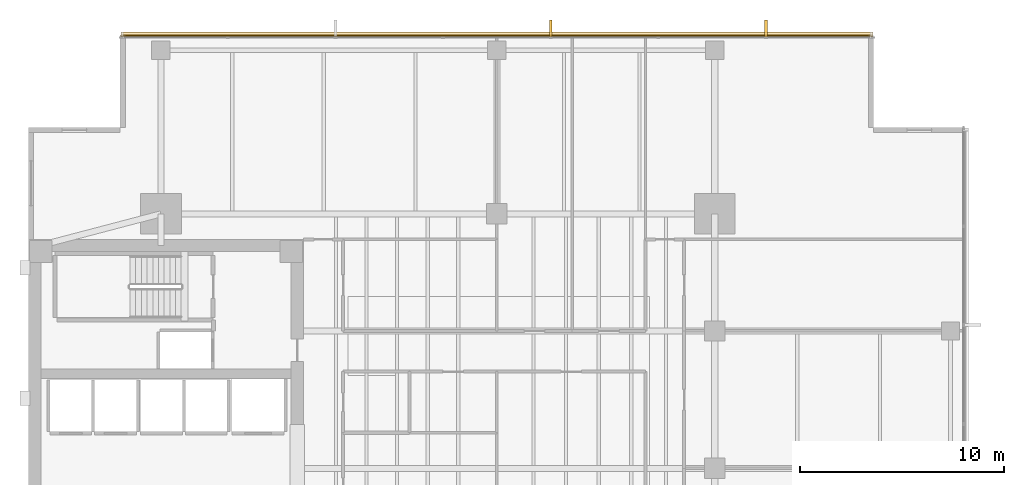
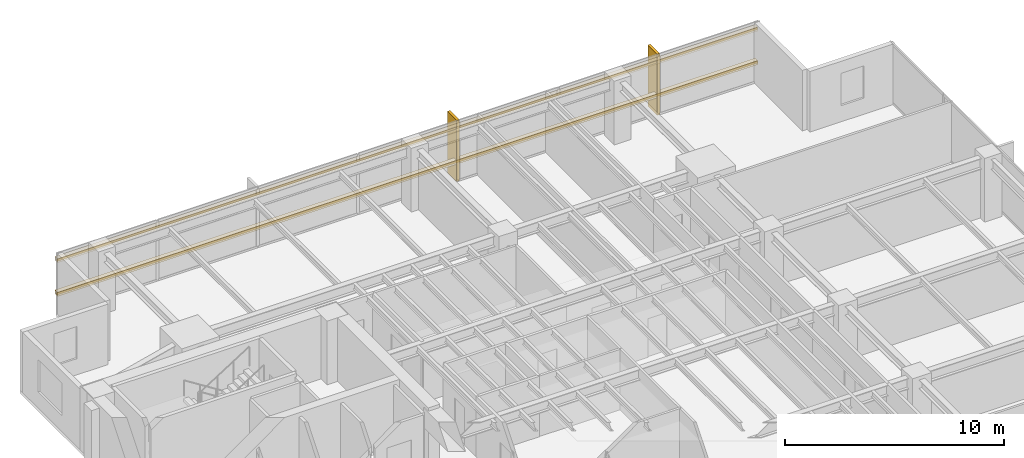
# One storey, part 14 of 14: 4 coverings, 2 shading devices.
"""IFC4 building model written with IfcOpenShell, lengths in metres."""

import ifcopenshell
import ifcopenshell.guid

model = None  # the IFC model being written
_history = None  # IfcOwnerHistory: only IFC2X3 demands one
_inside = {}  # id of a spatial element -> (the spatial element, [elements in it])
_under = {}  # id of a project, library or spatial element -> (it, [spatial elements below it])
_declared = {}  # id of a project -> (the project, [libraries it declares])
_typed = {}  # id of a type object -> (the type object, [elements of that type])
_made_of = {}  # id of a material, layer set ... -> (it, [elements and type objects made of it])


def new_model(schema):
    """Start an empty IFC model of exactly this schema.

    Asked for "IFC4X3", IfcOpenShell would pick the latest addendum, in which some entities
    have other attributes; the version numbers below select the first issue.
    IFC2X3 requires an IfcOwnerHistory on every rooted entity: one is made here for all.
    """
    global model, _history
    if schema == "IFC4X3":
        model = ifcopenshell.file(schema_version=(4, 3, 0, 0))
    else:
        model = ifcopenshell.file(schema=schema)
    _inside.clear()
    _under.clear()
    _declared.clear()
    _typed.clear()
    _made_of.clear()
    _history = None
    if model.schema == "IFC2X3":
        org = make("IfcOrganization", Name="unknown")
        user = make(
            "IfcPersonAndOrganization",
            ThePerson=make("IfcPerson", FamilyName="unknown"),
            TheOrganization=org,
        )
        app = make(
            "IfcApplication",
            ApplicationDeveloper=org,
            Version="unknown",
            ApplicationFullName="unknown",
            ApplicationIdentifier="unknown",
        )
        _history = make(
            "IfcOwnerHistory",
            OwningUser=user,
            OwningApplication=app,
            ChangeAction="ADDED",
            CreationDate=0,
        )
    return model


def make(cls, **values):
    """One entity of the class cls with the attributes given. An attribute that is None is left unset."""
    return model.create_entity(
        cls, **{name: value for name, value in values.items() if value is not None}
    )


def rooted(cls, **values):
    """An entity with a GlobalId (a new one), such as an element, a storey or a relation."""
    return make(cls, GlobalId=ifcopenshell.guid.new(), OwnerHistory=_history, **values)


def si_unit(unit_type, name, prefix=None):
    """IfcSIUnit, for example si_unit("LENGTHUNIT", "METRE", prefix="MILLI")."""
    return make("IfcSIUnit", UnitType=unit_type, Prefix=prefix, Name=name)


def assignment(units):
    """IfcUnitAssignment: the units of a project."""
    return None if units is None else make("IfcUnitAssignment", Units=units)


def point(xyz):
    """IfcCartesianPoint."""
    return None if xyz is None else make("IfcCartesianPoint", Coordinates=xyz)


def direction(xyz):
    """IfcDirection."""
    return None if xyz is None else make("IfcDirection", DirectionRatios=xyz)


def frame(location, z_axis=None, x_axis=None):
    """IfcAxis2Placement3D, a coordinate frame: its origin and axes. An axis left out is left unset."""
    return make(
        "IfcAxis2Placement3D",
        Location=point(location),
        Axis=direction(z_axis),
        RefDirection=direction(x_axis),
    )


def frame_2d(location, x_axis=None):
    """IfcAxis2Placement2D, a coordinate frame in the plane: its origin and x axis."""
    return make(
        "IfcAxis2Placement2D", Location=point(location), RefDirection=direction(x_axis)
    )


def origin():
    """The frame at (0, 0, 0) with its axes left unset."""
    return frame((0.0, 0.0, 0.0))


def origin_2d():
    """The frame at (0, 0) in the plane with its x axis left unset."""
    return frame_2d((0.0, 0.0))


def place(relative_to, where):
    """IfcLocalPlacement: puts the frame where relative to a parent placement (None: the world)."""
    return make(
        "IfcLocalPlacement", PlacementRelTo=relative_to, RelativePlacement=where
    )


def context(
    kind, dimensions, precision=None, world=None, true_north=None, identifier=None
):
    """IfcGeometricRepresentationContext, for example the 3D "Model" context."""
    return make(
        "IfcGeometricRepresentationContext",
        ContextIdentifier=identifier,
        ContextType=kind,
        CoordinateSpaceDimension=dimensions,
        Precision=precision,
        WorldCoordinateSystem=world,
        TrueNorth=true_north,
    )


def subcontext(parent, identifier, kind, view, scale=None):
    """IfcGeometricRepresentationSubContext, for example "Body" below "Model"."""
    return make(
        "IfcGeometricRepresentationSubContext",
        ContextIdentifier=identifier,
        ContextType=kind,
        ParentContext=parent,
        TargetScale=scale,
        TargetView=view,
    )


def project(units=None, contexts=None):
    """IfcProject with its units and contexts."""
    return rooted(
        "IfcProject",
        Name="project",
        RepresentationContexts=contexts,
        UnitsInContext=assignment(units),
    )


def spatial(cls, under=None, at=None, **own):
    """A site, building, storey or space (cls), placed at a placement, below another one or the project."""
    s = rooted(cls, ObjectPlacement=at, **own)
    if under is not None:
        _under.setdefault(under.id(), (under, []))[1].append(s)
    return s


def polyline(points):
    """IfcPolyline through the points."""
    return make("IfcPolyline", Points=[point(p) for p in points])


def profile(cls, at=None, kind="AREA", **sizes):
    """A parametric profile (cls). Its sizes go by their IFC names, for example OverallWidth=200.0."""
    return make(cls, ProfileType=kind, Position=at, **sizes)


def rectangle(**sizes):
    """IfcRectangleProfileDef."""
    return profile("IfcRectangleProfileDef", **sizes)


def outline(outer, holes=None, kind="AREA"):
    """IfcArbitraryClosedProfileDef: a profile drawn as a closed curve; with holes, ...WithVoids."""
    if holes is None:
        return make("IfcArbitraryClosedProfileDef", ProfileType=kind, OuterCurve=outer)
    return make(
        "IfcArbitraryProfileDefWithVoids",
        ProfileType=kind,
        OuterCurve=outer,
        InnerCurves=holes,
    )


def extrude(swept, where, along, depth):
    """IfcExtrudedAreaSolid: the profile swept, set in the frame where, extruded along a direction by depth."""
    return make(
        "IfcExtrudedAreaSolid",
        SweptArea=swept,
        Position=where,
        ExtrudedDirection=direction(along),
        Depth=depth,
    )


def shape(context_of_items, identifier, shape_type, items):
    """IfcShapeRepresentation: the items that make up one representation, for example the "Body"."""
    return make(
        "IfcShapeRepresentation",
        ContextOfItems=context_of_items,
        RepresentationIdentifier=identifier,
        RepresentationType=shape_type,
        Items=items,
    )


def material(Name=None, Category=None):
    """IfcMaterial."""
    return make("IfcMaterial", Name=Name, Category=Category)


def layer(
    of_material, thickness, ventilated=None, Name=None, Category=None, Priority=None
):
    """IfcMaterialLayer: one layer of a wall or slab, of a material (None: an air gap)."""
    return make(
        "IfcMaterialLayer",
        Material=of_material,
        LayerThickness=thickness,
        IsVentilated=ventilated,
        Name=Name,
        Category=Category,
        Priority=Priority,
    )


def layer_set(layers, Name=None):
    """IfcMaterialLayerSet."""
    return make("IfcMaterialLayerSet", MaterialLayers=layers, LayerSetName=Name)


def material_profile(
    of_material, cross_section, Name=None, Category=None, Priority=None
):
    """IfcMaterialProfile: a cross section and its material."""
    return make(
        "IfcMaterialProfile",
        Name=Name,
        Material=of_material,
        Profile=cross_section,
        Priority=Priority,
        Category=Category,
    )


def profile_set(profiles, Name=None, composite=None):
    """IfcMaterialProfileSet."""
    return make(
        "IfcMaterialProfileSet",
        Name=Name,
        MaterialProfiles=profiles,
        CompositeProfile=composite,
    )


def made_of(thing, what):
    """Note that an element or type object is made of a material, layer set ...; save() writes the relation."""
    if what is not None:
        _made_of.setdefault(what.id(), (what, []))[1].append(thing)
    return thing


def type_object(cls, material=None, **own):
    """A type object (cls), such as IfcWallType, which elements share."""
    return made_of(rooted(cls, **own), material)


def element(
    cls,
    number,
    at=None,
    inside=None,
    cuts=None,
    type_object=None,
    material=None,
    context=None,
    identifier="Body",
    shape_type=None,
    held_by="IfcProductDefinitionShape",
    body=None,
    shapes=None,
    **own,
):
    """One element of the class cls, such as IfcWall. Its Tag is "e" and its number.

    at: its placement. inside: the storey or other place that contains it. cuts: it is an
    opening in that element (IfcRelVoidsElement). A single representation is given by context,
    identifier, shape_type and body (its items); several are given by shapes. held_by: the class
    of the entity that holds the representations. save() writes the other relations.
    """
    e = rooted(cls, Tag="e%d" % number, ObjectPlacement=at, **own)
    if body is not None:
        shapes = [shape(context, identifier, shape_type, body)]
    if shapes is not None:
        e.Representation = make(held_by, Representations=shapes)
    if inside is not None:
        _inside.setdefault(inside.id(), (inside, []))[1].append(e)
    if cuts is not None:
        rooted(
            "IfcRelVoidsElement", RelatingBuildingElement=cuts, RelatedOpeningElement=e
        )
    if type_object is not None:
        _typed.setdefault(type_object.id(), (type_object, []))[1].append(e)
    return made_of(e, material)


def aggregate(whole, parts):
    """IfcRelAggregates: a whole, such as a stair, and the parts it consists of."""
    return rooted("IfcRelAggregates", RelatingObject=whole, RelatedObjects=parts)


def save(model, path):
    """Write the relations noted so far, then the file.

    IfcRelAggregates (storeys below a building ...), IfcRelContainedInSpatialStructure (elements
    in a storey), IfcRelDefinesByType, IfcRelAssociatesMaterial and IfcRelDeclares: one each for
    every whole, place, type object, material and project.
    """
    for whole, parts in _under.values():
        aggregate(whole, parts)
    for where, things in _inside.values():
        rooted(
            "IfcRelContainedInSpatialStructure",
            RelatedElements=things,
            RelatingStructure=where,
        )
    for kind, things in _typed.values():
        rooted("IfcRelDefinesByType", RelatedObjects=things, RelatingType=kind)
    for what, things in _made_of.values():
        rooted("IfcRelAssociatesMaterial", RelatedObjects=things, RelatingMaterial=what)
    for by, libraries in _declared.values():
        rooted("IfcRelDeclares", RelatingContext=by, RelatedDefinitions=libraries)
    model.write(path)


model = new_model("IFC4")

# Units and contexts
model_context = context("Model", 3, precision=1e-05, world=origin(), true_north=direction((0.0, 1.0)))
body_context = subcontext(model_context, "Body", "Model", "MODEL_VIEW")
ifc_project = project(units=[si_unit("LENGTHUNIT", "METRE"), si_unit("AREAUNIT", "SQUARE_METRE"), si_unit("VOLUMEUNIT", "CUBIC_METRE"), si_unit("PLANEANGLEUNIT", "RADIAN"), si_unit("MASSUNIT", "GRAM", prefix="KILO")], contexts=[model_context])

# Site, building, storey
site_placement = place(None, origin())
site = spatial("IfcSite", under=ifc_project, at=site_placement, CompositionType="ELEMENT")
building_placement = place(site_placement, origin())
building = spatial("IfcBuilding", under=site, at=building_placement, Name="Kinhvarn Gate Tower", CompositionType="ELEMENT")
storey_placement = place(building_placement, frame((0.0, 0.0, 148.39990234375)))
storey = spatial("IfcBuildingStorey", under=building, at=storey_placement, Name="L39", CompositionType="ELEMENT", Elevation=148.39990234375)

# Coverings
ifc_material = material(Name="Fired architectural terracotta", Category="masonry")
ifc_layer_1 = layer(ifc_material, 0.239990234375)
ifc_layer_set_1 = layer_set([ifc_layer_1], Name="Fired architectural terracotta")
covering_type_1 = type_object("IfcCoveringType", Name="COV-BAG-220", PredefinedType="CLADDING", material=ifc_layer_set_1)
for number, where, name in (
    (1, (0.0, 0.0, 0.940185546875), "Terracotta Horizontal Sunscreen Band TBG-220 (L39)"),
    (2, (0.0, 0.0, 2.81005859375), "Terracotta Horizontal Sunscreen Band TBG-220 (L39)"),
):
    element("IfcCovering", number, at=place(storey_placement, frame(where)), inside=storey, type_object=covering_type_1, Name=name, PredefinedType="CLADDING", context=body_context, shape_type="SweptSolid", body=[
        extrude(outline(polyline([(45.9599609375, 46.429931640625), (9.0400390625, 46.429931640625), (9.0400390625, 46.669921875), (45.9599609375, 46.669921875), (45.9599609375, 46.429931640625)])), origin(), (0.0, 0.0, 1.0), 0.219970703125),
    ])
ifc_layer_2 = layer(ifc_material, 0.139892578125)
ifc_layer_set_2 = layer_set([ifc_layer_2], Name="Fired architectural terracotta")
covering_type_2 = type_object("IfcCoveringType", Name="COV-FIN-850", PredefinedType="CLADDING", material=ifc_layer_set_2)
covering_1_placement = place(storey_placement, frame((0.0, 0.0, -0.02001953125)))
element("IfcCovering", 3, at=covering_1_placement, inside=storey, type_object=covering_type_2, Name="Vertical Terracotta Expressive Fin TFN-850 (L39)", PredefinedType="CLADDING", context=body_context, shape_type="SweptSolid", body=[
    extrude(outline(polyline([(40.7841796875, 46.419921875), (40.644287109375, 46.419921875), (40.644287109375, 47.27001953125), (40.7841796875, 47.27001953125), (40.7841796875, 46.419921875)])), origin(), (0.0, 0.0, 1.0), 3.41015625),
])
covering_2_placement = place(storey_placement, frame((0.0, 0.0, -0.02001953125)))
element("IfcCovering", 4, at=covering_2_placement, inside=storey, type_object=covering_type_2, Name="Vertical Terracotta Expressive Fin TFN-850 (L39)", PredefinedType="CLADDING", context=body_context, shape_type="SweptSolid", body=[
    extrude(outline(polyline([(30.212890625, 46.419921875), (30.072998046875, 46.419921875), (30.072998046875, 47.27001953125), (30.212890625, 47.27001953125), (30.212890625, 46.419921875)])), origin(), (0.0, 0.0, 1.0), 3.41015625),
])

# Shading devices
ifc_material_profile = material_profile(ifc_material, rectangle(XDim=0.050048828125, YDim=0.1201171875, at=origin_2d()), Name="TC 50x120")
ifc_profile_set = profile_set([ifc_material_profile], Name="Fired architectural terracotta")
shading_device_type = type_object("IfcShadingDeviceType", Name="SHD-BAG-140", PredefinedType="USERDEFINED", material=ifc_profile_set)
for number, where, z_axis, x_axis, name in (
    (5, (45.9599609375, 46.5, 1.050048828125), (-1.0, 0.0, 0.0), (0.0, -1.0, 0.0), "Upper Tower Terracotta Baguette Screen Rod 50x120 mm (L39)"),
    (6, (45.9599609375, 46.5, 2.920166015625), (-1.0, 0.0, 0.0), (0.0, -1.0, 0.0), "Upper Tower Terracotta Baguette Screen Rod 50x120 mm (L39)"),
):
    element("IfcShadingDevice", number, at=place(storey_placement, frame(where, z_axis=z_axis, x_axis=x_axis)), inside=storey, type_object=shading_device_type, Name=name, ObjectType="BAGUETTE", PredefinedType="USERDEFINED", context=body_context, shape_type="SweptSolid", body=[
        extrude(rectangle(XDim=0.050048828125, YDim=0.1201171875, at=origin_2d()), origin(), (0.0, 0.0, 1.0), 36.919921875),
    ])

save(model, "model.ifc")
